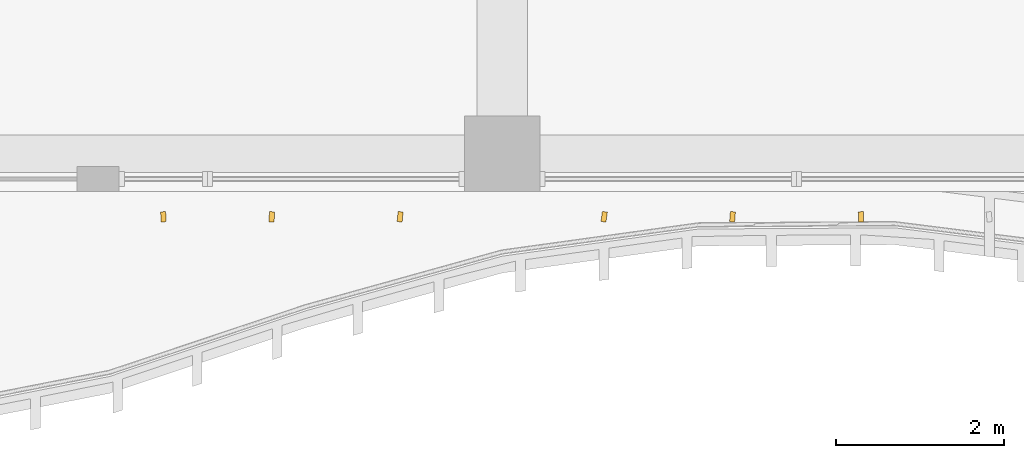
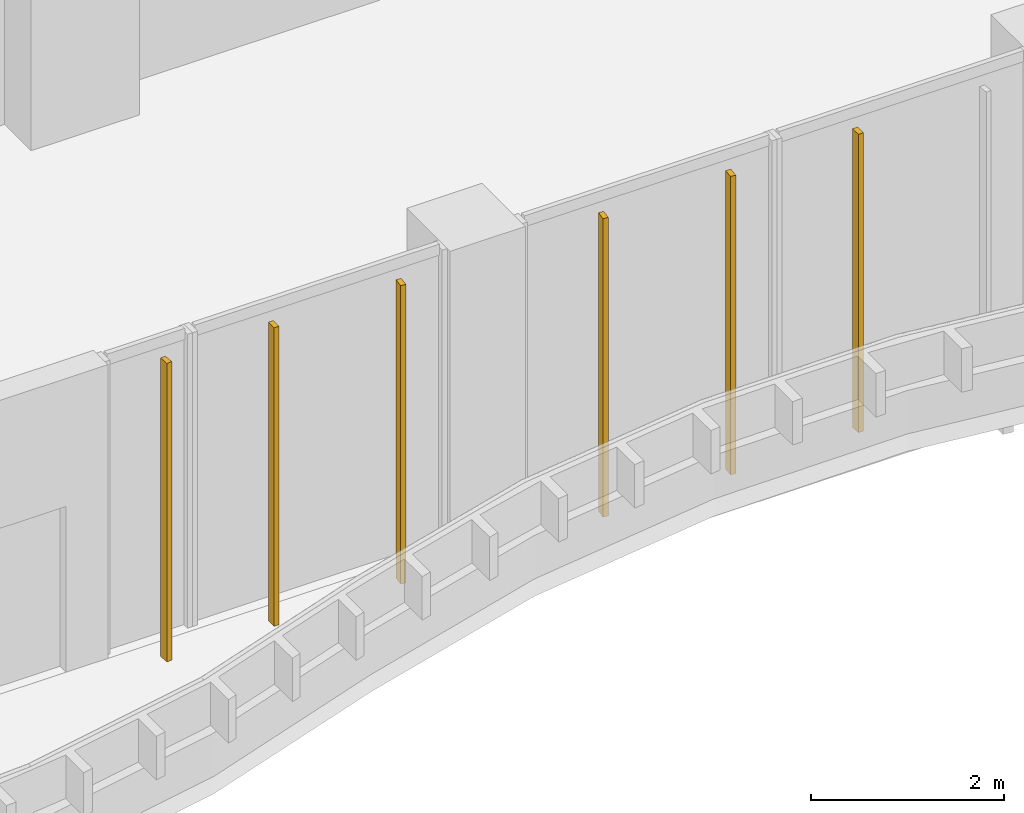
# One storey, part 24 of 29: 6 shading devices.
"""IFC4 building model written with IfcOpenShell, lengths in metres."""

from ifc_helpers import new_model, si_unit, direction, frame, origin, origin_2d, place, context, subcontext, project, spatial, rectangle, extrude, source, transform, mapped, material, material_profile, profile_set, type_object, element, save


model = new_model("IFC4")

# Units and contexts
model_context = context("Model", 3, precision=1e-05, world=origin(), true_north=direction((0.0, 1.0)))
body_context = subcontext(model_context, "Body", "Model", "MODEL_VIEW")
ifc_project = project(units=[si_unit("LENGTHUNIT", "METRE"), si_unit("AREAUNIT", "SQUARE_METRE"), si_unit("VOLUMEUNIT", "CUBIC_METRE"), si_unit("PLANEANGLEUNIT", "RADIAN"), si_unit("MASSUNIT", "GRAM", prefix="KILO")], contexts=[model_context])

# Site, building, storey
site_placement = place(None, origin())
site = spatial("IfcSite", under=ifc_project, at=site_placement, CompositionType="ELEMENT")
building_placement = place(site_placement, origin())
building = spatial("IfcBuilding", under=site, at=building_placement, Name="Kilnfold Tower and Market Hall", CompositionType="ELEMENT")
storey_placement = place(building_placement, frame((0.0, 0.0, 27.0)))
storey = spatial("IfcBuildingStorey", under=building, at=storey_placement, Name="L05", CompositionType="ELEMENT", Elevation=27.0)

# Shading devices
ifc_material = material(Name="Terracotta", Category="masonry")
ifc_material_profile = material_profile(ifc_material, rectangle(XDim=0.06005859375, YDim=0.1201171875, at=origin_2d()), Name="BAG 60x120")
ifc_profile_set = profile_set([ifc_material_profile], Name="Terracotta")
shading_device_type = type_object("IfcShadingDeviceType", Name="BAGUETTE", PredefinedType="USERDEFINED", material=ifc_profile_set)
shared_shape = source(origin(), body_context, "Body", "SweptSolid", [
    extrude(rectangle(XDim=0.06005859375, YDim=0.1201171875, at=origin_2d()), origin(), (0.0, 0.0, 1.0), 3.780029296875),
])
for number, where, z_axis, x_axis, name in (
    (1, (6.47509765625, -28.300048828125, 0.0), (0.0, 0.0, 1.0), (0.99791685702, 0.064513149637, 0.0), "Terracotta baguette L05 S"),
    (2, (7.762451171875, -28.300048828125, 0.0), (0.0, 0.0, 1.0), (0.999908261113, -0.013545086106, 0.0), "Terracotta baguette L05 S"),
    (3, (9.28759765625, -28.300048828125, 0.0), (0.0, 0.0, 1.0), (0.99516726154, -0.098194305127, 0.0), "Terracotta baguette L05 S"),
    (4, (11.71240234375, -28.300048828125, 0.0), (0.0, 0.0, 1.0), (0.991111824994, -0.133031388619, 0.0), "Terracotta baguette L05 S"),
    (5, (13.237548828125, -28.300048828125, 0.0), (0.0, 0.0, 1.0), (0.99700893945, -0.077286316097, 0.0), "Terracotta baguette L05 S"),
    (6, (14.762451171875, -28.300048828125, 0.0), (0.0, 0.0, 1.0), (0.999908261113, 0.013545086106, 0.0), "Terracotta baguette L05 S"),
):
    element("IfcShadingDevice", number, at=place(storey_placement, frame(where, z_axis=z_axis, x_axis=x_axis)), inside=storey, type_object=shading_device_type, Name=name, ObjectType="BAGUETTE", PredefinedType="USERDEFINED", context=body_context, shape_type="MappedRepresentation", body=[
        mapped(shared_shape, transform((0.0, 0.0, 0.0))),
    ])

save(model, "model.ifc")
